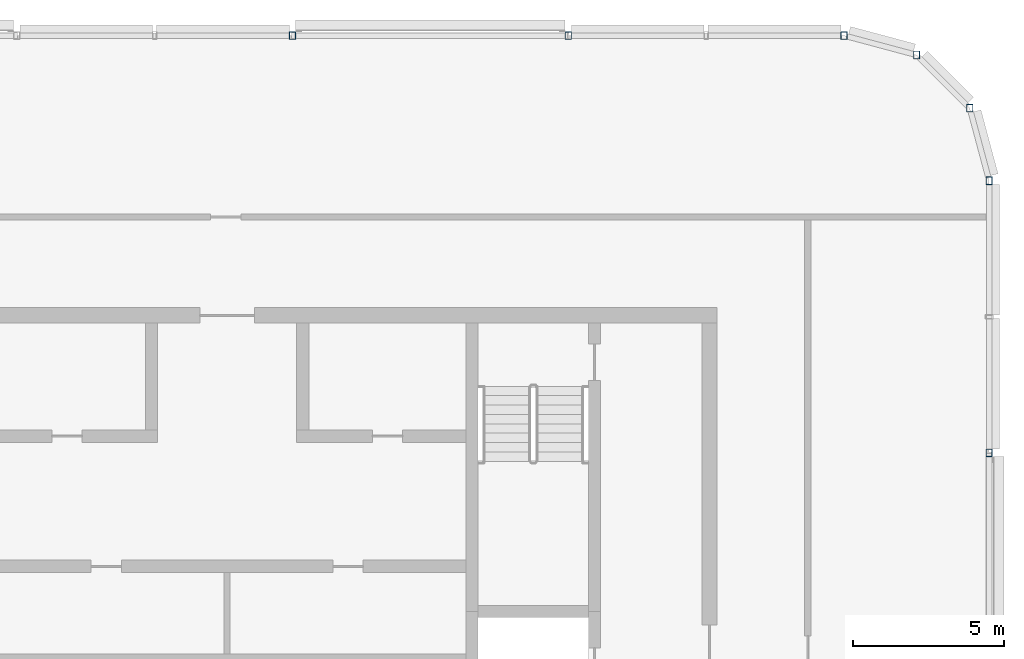
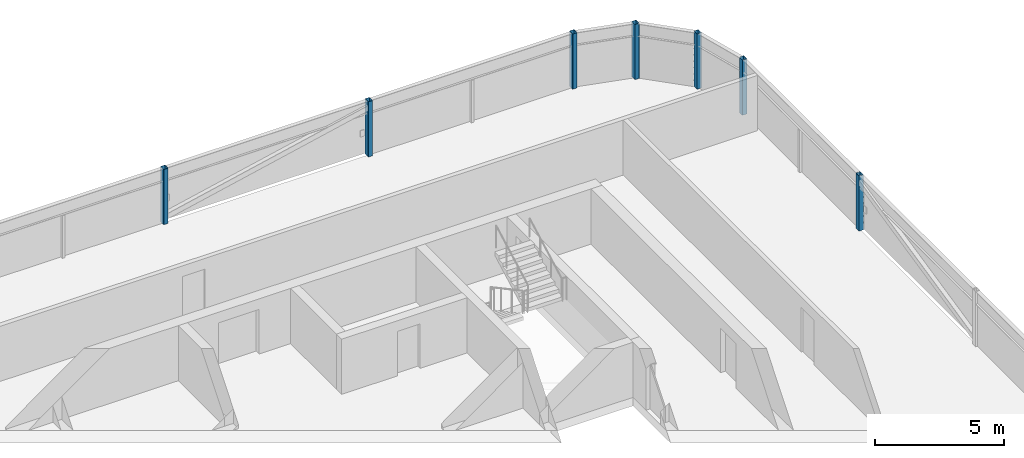
# One storey, part 4 of 27: 7 columns.
"""IFC4 building model written with IfcOpenShell, lengths in metres."""

from ifc_helpers import new_model, si_unit, direction, frame, origin, origin_2d, place, context, subcontext, project, spatial, hollow_rectangle, extrude, material, material_profile, profile_set, type_object, element, save


model = new_model("IFC4")

# Units and contexts
model_context = context("Model", 3, precision=1e-05, world=origin(), true_north=direction((0.0, 1.0)))
body_context = subcontext(model_context, "Body", "Model", "MODEL_VIEW")
ifc_project = project(units=[si_unit("LENGTHUNIT", "METRE"), si_unit("AREAUNIT", "SQUARE_METRE"), si_unit("VOLUMEUNIT", "CUBIC_METRE"), si_unit("PLANEANGLEUNIT", "RADIAN"), si_unit("MASSUNIT", "GRAM", prefix="KILO")], contexts=[model_context])

# Site, building, storey
site_placement = place(None, origin())
site = spatial("IfcSite", under=ifc_project, at=site_placement, CompositionType="ELEMENT")
building_placement = place(site_placement, origin())
building = spatial("IfcBuilding", under=site, at=building_placement, Name="Madar Terraces", CompositionType="ELEMENT")
storey_placement = place(building_placement, frame((0.0, 0.0, 314.300048828125)))
storey = spatial("IfcBuildingStorey", under=building, at=storey_placement, Name="L81", CompositionType="ELEMENT", Elevation=314.300048828125)

# Columns
ifc_material = material(Name="Steel ASTM A500 Grade C", Category="steel")
ifc_material_profile = material_profile(ifc_material, hollow_rectangle(XDim=0.203125, YDim=0.25390625, WallThickness=0.009521484375, InnerFilletRadius=0.00439453125, OuterFilletRadius=0.01318359375, at=origin_2d()), Name="HSS10x8x.375")
ifc_profile_set = profile_set([ifc_material_profile], Name="Steel ASTM A500 Grade C")
column_type = type_object("IfcColumnType", Name="CF1 HSS10x8x.375", PredefinedType="COLUMN", material=ifc_profile_set)
for number, where, z_axis, x_axis, name in (
    (1, (56.39990234375, 33.0, 0.0), (0.0, 0.0, 1.0), (1.0, 0.0, 0.0), "Crown frame column CF1"),
    (2, (56.39990234375, 42.0, 0.0), (0.0, 0.0, 1.0), (1.0, 0.0, 0.0), "Crown frame column CF1"),
    (3, (55.7568359375, 44.39990234375, 0.0), (0.0, 0.0, 1.0), (1.0, 0.0, 0.0), "Crown frame column CF1"),
    (4, (54.0, 46.156982421875, 0.0), (0.0, 0.0, 1.0), (1.0, 0.0, 0.0), "Crown frame column CF1"),
    (5, (51.60009765625, 46.800048828125, 0.0), (0.0, 0.0, 1.0), (1.0, 0.0, 0.0), "Crown frame column CF1"),
    (6, (42.47998046875, 46.800048828125, 0.0), (0.0, 0.0, 1.0), (1.0, 0.0, 0.0), "Crown frame column CF1"),
    (7, (33.360107421875, 46.800048828125, 0.0), (0.0, 0.0, 1.0), (1.0, 0.0, 0.0), "Crown frame column CF1"),
):
    element("IfcColumn", number, at=place(storey_placement, frame(where, z_axis=z_axis, x_axis=x_axis)), inside=storey, type_object=column_type, Name=name, PredefinedType="COLUMN", context=body_context, shape_type="SweptSolid", body=[
        extrude(hollow_rectangle(XDim=0.203125, YDim=0.25390625, WallThickness=0.009521484375, InnerFilletRadius=0.00439453125, OuterFilletRadius=0.01318359375, at=origin_2d()), origin(), (0.0, 0.0, 1.0), 2.599853515625),
    ])

save(model, "model.ifc")
